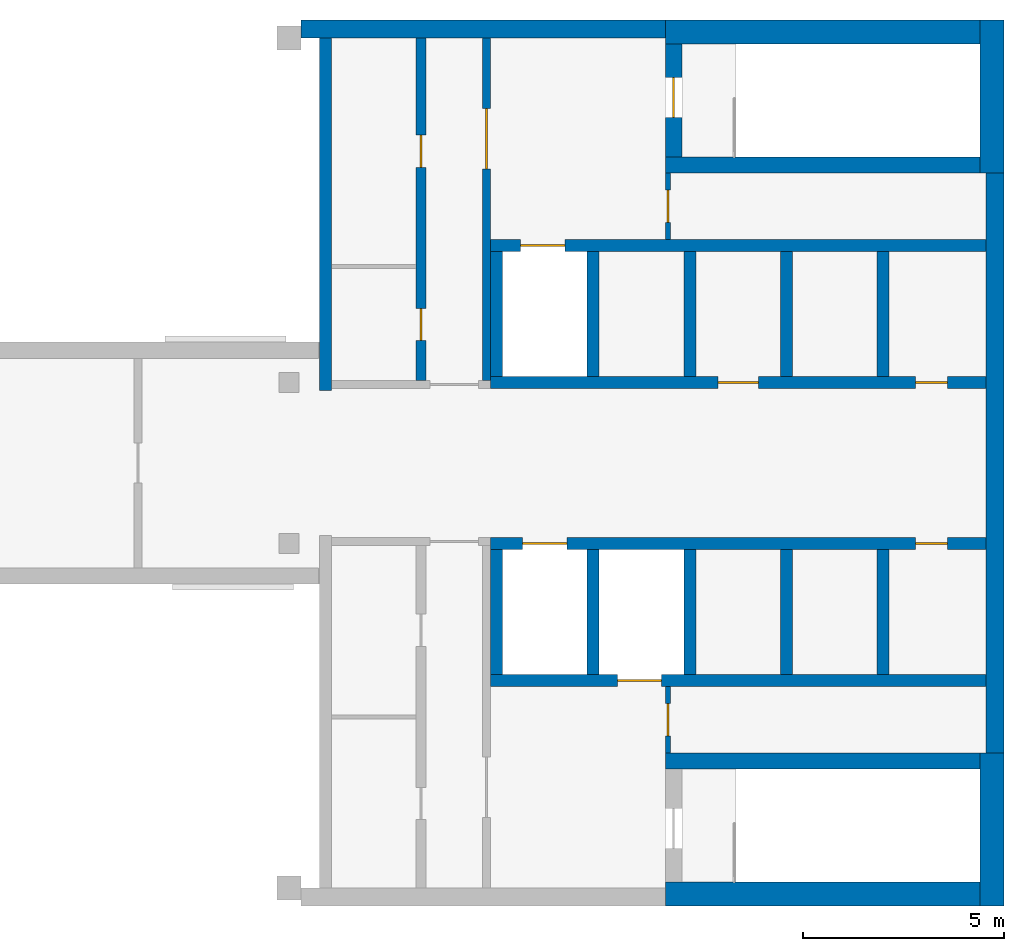
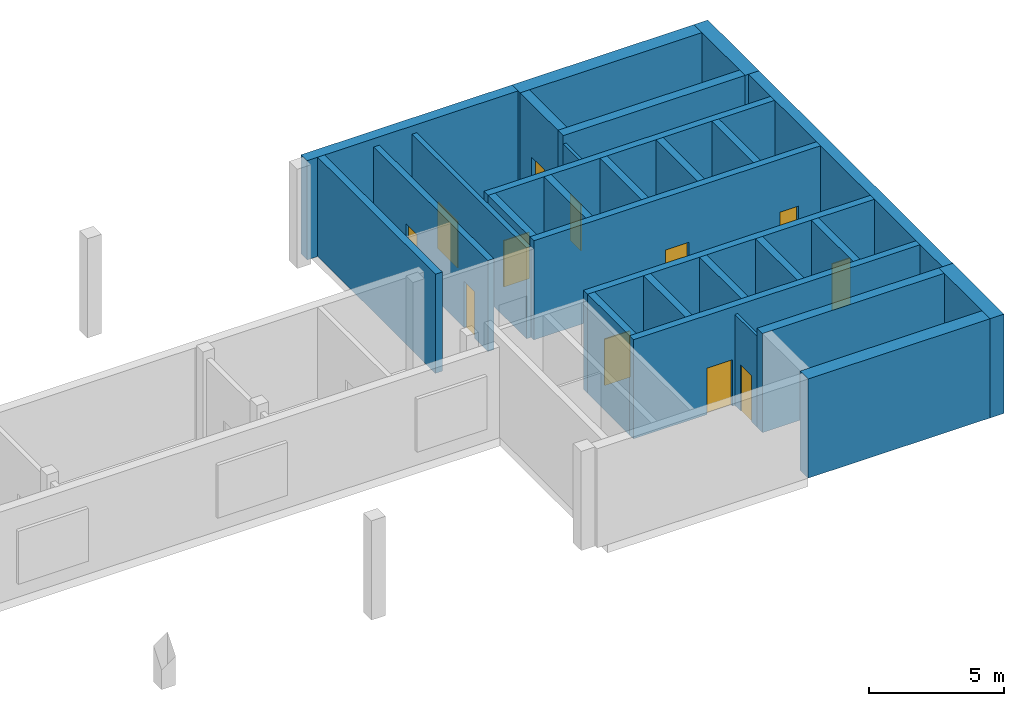
# One storey, part 2 of 3: 28 walls, 12 doors, 12 openings.
"""IFC4 building model written with IfcOpenShell, lengths in metres."""

from ifc_helpers import new_model, si_unit, direction, frame, frame_2d, origin, place, context, subcontext, project, spatial, rectangle, extrude, material, layer, layer_set, type_object, element, fill, save


model = new_model("IFC4")

# Units and contexts
model_context = context("Model", 3, precision=1e-05, world=origin(), true_north=direction((0.0, 1.0)))
body_context = subcontext(model_context, "Body", "Model", "MODEL_VIEW")
ifc_project = project(units=[si_unit("LENGTHUNIT", "METRE"), si_unit("AREAUNIT", "SQUARE_METRE"), si_unit("VOLUMEUNIT", "CUBIC_METRE"), si_unit("PLANEANGLEUNIT", "RADIAN"), si_unit("MASSUNIT", "GRAM", prefix="KILO")], contexts=[model_context])

# Site, building, storey
site_placement = place(None, origin())
site = spatial("IfcSite", under=ifc_project, at=site_placement, CompositionType="ELEMENT")
building_placement = place(site_placement, origin())
building = spatial("IfcBuilding", under=site, at=building_placement, Name="Skarvind Civic Tower", CompositionType="ELEMENT")
storey_placement = place(building_placement, frame((0.0, 0.0, 295.5)))
storey = spatial("IfcBuildingStorey", under=building, at=storey_placement, Name="L70", CompositionType="ELEMENT", Elevation=295.5)

# Wall, opening, door
ifc_material_1 = material(Name="Fire-rated masonry partition", Category="masonry")
ifc_layer_1 = layer(ifc_material_1, 0.199951171875)
ifc_layer_set_1 = layer_set([ifc_layer_1], Name="Core enclosure wall 200")
wall_type_1 = type_object("IfcWallType", Name="Core enclosure wall 200", PredefinedType="PARTITIONING", material=ifc_layer_set_1)
wall_1_placement = place(storey_placement, frame((95.14990234375, 130.050048828125, 0.0), z_axis=(0.0, 0.0, 1.0), x_axis=(0.0, 1.0, 0.0)))
wall_1 = element("IfcWall", 1, at=wall_1_placement, inside=storey, type_object=wall_type_1, Name="Core wall C1", PredefinedType="PARTITIONING", context=body_context, shape_type="SweptSolid", body=[
    extrude(rectangle(XDim=8.5, YDim=0.199951171875, at=frame_2d((4.25, 0.0))), origin(), (0.0, 0.0, 1.0), 4.125),
])
opening_1_placement = place(wall_1_placement, frame((5.25, 0.0, 0.0)))
opening_1 = element("IfcOpeningElement", 2, at=opening_1_placement, cuts=wall_1, Name="Opening D-L70-C1-12", PredefinedType="OPENING", context=body_context, shape_type="SweptSolid", body=[
    extrude(rectangle(XDim=1.5, YDim=2.10009765625, at=frame_2d((0.75, 1.050048828125))), frame((0.0, 0.10986328125, 0.0), z_axis=(0.0, -1.0, 0.0), x_axis=(1.0, 0.0, 0.0)), (0.0, 0.0, 1.0), 0.219970703125),
])
ifc_material_2 = material(Name="Fire-rated steel door", Category="steel")
door_type_1 = type_object("IfcDoorType", Name="Fire door 1500", OperationType="NOTDEFINED", PredefinedType="DOOR", material=ifc_material_2)
door_1_placement = place(opening_1_placement, origin())
door_1 = element("IfcDoor", 3, at=door_1_placement, inside=storey, type_object=door_type_1, Name="Fire door", OperationType="DOUBLE_DOOR_SINGLE_SWING", OverallHeight=2.10009765625, OverallWidth=1.5, PredefinedType="DOOR", context=body_context, shape_type="SweptSolid", body=[
    extrude(rectangle(XDim=1.5, YDim=2.10009765625, at=frame_2d((0.75, 1.050048828125))), frame((0.0, 0.02490234375, 0.0), z_axis=(0.0, -1.0, 0.0), x_axis=(1.0, 0.0, 0.0)), (0.0, 0.0, 1.0), 0.050048828125),
])
fill(opening_1, door_1)

# Wall, openings, doors
ifc_material_3 = material(Name="Concrete C60", Category="concrete")
ifc_layer_2 = layer(ifc_material_3, 0.300048828125)
ifc_layer_set_2 = layer_set([ifc_layer_2], Name="Core wall 300 C60")
wall_type_2 = type_object("IfcWallType", Name="Core wall 300 C60", PredefinedType="SHEAR", material=ifc_layer_set_2)
wall_2_placement = place(storey_placement, frame((107.550048828125, 130.0, 0.0), z_axis=(0.0, 0.0, 1.0), x_axis=(-1.0, 0.0, 0.0)))
wall_2 = element("IfcWall", 4, at=wall_2_placement, inside=storey, type_object=wall_type_2, Name="Core wall C1 south lift row front L70", PredefinedType="SHEAR", context=body_context, shape_type="SweptSolid", body=[
    extrude(rectangle(XDim=12.300048828125, YDim=0.300048828125, at=frame_2d((6.14990234375, 0.0))), origin(), (0.0, 0.0, 1.0), 4.5),
])
opening_2_placement = place(wall_2_placement, frame((0.949951171875, 0.0, 0.0)))
opening_2 = element("IfcOpeningElement", 5, at=opening_2_placement, cuts=wall_2, Name="Opening D-L70-C1-03", PredefinedType="OPENING", context=body_context, shape_type="SweptSolid", body=[
    extrude(rectangle(XDim=0.800048828125, YDim=2.10009765625, at=frame_2d((0.39990234375, 1.050048828125))), frame((0.0, 0.159912109375, 0.0), z_axis=(0.0, -1.0, 0.0), x_axis=(1.0, 0.0, 0.0)), (0.0, 0.0, 1.0), 0.320068359375),
])
opening_3_placement = place(wall_2_placement, frame((5.64990234375, 0.0, 0.0)))
opening_3 = element("IfcOpeningElement", 6, at=opening_3_placement, cuts=wall_2, Name="Opening D-L70-C1-04", PredefinedType="OPENING", context=body_context, shape_type="SweptSolid", body=[
    extrude(rectangle(XDim=1.0, YDim=2.10009765625, at=frame_2d((0.5, 1.050048828125))), frame((0.0, 0.159912109375, 0.0), z_axis=(0.0, -1.0, 0.0), x_axis=(1.0, 0.0, 0.0)), (0.0, 0.0, 1.0), 0.320068359375),
])
door_type_2 = type_object("IfcDoorType", Name="Core riser door 800", OperationType="NOTDEFINED", PredefinedType="DOOR", material=ifc_material_2)
door_2_placement = place(opening_2_placement, origin())
door_2 = element("IfcDoor", 7, at=door_2_placement, inside=storey, type_object=door_type_2, Name="Riser door", OperationType="SINGLE_SWING_RIGHT", OverallHeight=2.10009765625, OverallWidth=0.800048828125, PredefinedType="DOOR", context=body_context, shape_type="SweptSolid", body=[
    extrude(rectangle(XDim=0.800048828125, YDim=2.10009765625, at=frame_2d((0.39990234375, 1.050048828125))), frame((0.0, 0.02490234375, 0.0), z_axis=(0.0, -1.0, 0.0), x_axis=(1.0, 0.0, 0.0)), (0.0, 0.0, 1.0), 0.050048828125),
])
fill(opening_2, door_2)
door_type_3 = type_object("IfcDoorType", Name="Fire door 1000", OperationType="NOTDEFINED", PredefinedType="DOOR", material=ifc_material_2)
door_3_placement = place(opening_3_placement, origin())
door_3 = element("IfcDoor", 8, at=door_3_placement, inside=storey, type_object=door_type_3, Name="Fire door", OperationType="SINGLE_SWING_LEFT", OverallHeight=2.10009765625, OverallWidth=1.0, PredefinedType="DOOR", context=body_context, shape_type="SweptSolid", body=[
    extrude(rectangle(XDim=1.0, YDim=2.10009765625, at=frame_2d((0.5, 1.050048828125))), frame((0.0, 0.02490234375, 0.0), z_axis=(0.0, -1.0, 0.0), x_axis=(1.0, 0.0, 0.0)), (0.0, 0.0, 1.0), 0.050048828125),
])
fill(opening_3, door_3)

# Wall, opening, door
wall_3_placement = place(storey_placement, frame((107.550048828125, 133.39990234375, 0.0), z_axis=(0.0, 0.0, 1.0), x_axis=(-1.0, 0.0, 0.0)))
wall_3 = element("IfcWall", 9, at=wall_3_placement, inside=storey, type_object=wall_type_2, Name="Core wall C1 south lift row back L70", PredefinedType="SHEAR", context=body_context, shape_type="SweptSolid", body=[
    extrude(rectangle(XDim=12.300048828125, YDim=0.300048828125, at=frame_2d((6.14990234375, 0.0))), origin(), (0.0, 0.0, 1.0), 4.5),
])
opening_4_placement = place(wall_3_placement, frame((10.449951171875, 0.0, 0.0)))
opening_4 = element("IfcOpeningElement", 10, at=opening_4_placement, cuts=wall_3, Name="Opening LD72110", PredefinedType="OPENING", context=body_context, shape_type="SweptSolid", body=[
    extrude(rectangle(XDim=1.10009765625, YDim=2.10009765625, at=frame_2d((0.550048828125, 1.050048828125))), frame((0.0, 0.159912109375, 0.0), z_axis=(0.0, -1.0, 0.0), x_axis=(1.0, 0.0, 0.0)), (0.0, 0.0, 1.0), 0.320068359375),
])
ifc_material_4 = material(Name="Stainless steel landing door", Category="steel")
door_type_4 = type_object("IfcDoorType", Name="Lift landing door 1100", OperationType="DOUBLE_DOOR_SLIDING", PredefinedType="DOOR", material=ifc_material_4)
door_4_placement = place(opening_4_placement, origin())
door_4 = element("IfcDoor", 11, at=door_4_placement, inside=storey, type_object=door_type_4, Name="Lift landing door", OperationType="DOUBLE_DOOR_SLIDING", OverallHeight=2.10009765625, OverallWidth=1.10009765625, PredefinedType="DOOR", context=body_context, shape_type="SweptSolid", body=[
    extrude(rectangle(XDim=1.10009765625, YDim=2.10009765625, at=frame_2d((0.550048828125, 1.050048828125))), frame((0.0, 0.02490234375, 0.0), z_axis=(0.0, -1.0, 0.0), x_axis=(1.0, 0.0, 0.0)), (0.0, 0.0, 1.0), 0.050048828125),
])
fill(opening_4, door_4)

# Walls
for number, where, z_axis, x_axis, name in (
    (12, (105.0, 133.25, 0.0), (0.0, 0.0, 1.0), (0.0, -1.0, 0.0), "Core wall C1 south lift row division 1 L70"),
    (13, (102.60009765625, 133.25, 0.0), (0.0, 0.0, 1.0), (0.0, -1.0, 0.0), "Core wall C1 south lift row division 2 L70"),
    (14, (100.199951171875, 133.25, 0.0), (0.0, 0.0, 1.0), (0.0, -1.0, 0.0), "Core wall C1 south lift row division 3 L70"),
    (15, (97.800048828125, 133.25, 0.0), (0.0, 0.0, 1.0), (0.0, -1.0, 0.0), "Core wall C1 south lift row division 4 L70"),
    (16, (95.39990234375, 133.25, 0.0), (0.0, 0.0, 1.0), (0.0, -1.0, 0.0), "Core wall C1 south lift row division 5 L70"),
):
    element("IfcWall", number, at=place(storey_placement, frame(where, z_axis=z_axis, x_axis=x_axis)), inside=storey, type_object=wall_type_2, Name=name, PredefinedType="SHEAR", context=body_context, shape_type="SweptSolid", body=[
        extrude(rectangle(XDim=3.10009765625, YDim=0.300048828125, at=frame_2d((1.550048828125, 0.0))), origin(), (0.0, 0.0, 1.0), 4.5),
    ])

# Wall, openings, doors
wall_4_placement = place(storey_placement, frame((107.550048828125, 126.0, 0.0), z_axis=(0.0, 0.0, 1.0), x_axis=(-1.0, 0.0, 0.0)))
wall_4 = element("IfcWall", 17, at=wall_4_placement, inside=storey, type_object=wall_type_2, Name="Core wall C1 north lift row front L70", PredefinedType="SHEAR", context=body_context, shape_type="SweptSolid", body=[
    extrude(rectangle(XDim=12.300048828125, YDim=0.300048828125, at=frame_2d((6.14990234375, 0.0))), origin(), (0.0, 0.0, 1.0), 4.5),
])
opening_5_placement = place(wall_4_placement, frame((10.39990234375, 0.0, 0.0)))
opening_5 = element("IfcOpeningElement", 18, at=opening_5_placement, cuts=wall_4, Name="Opening LD72105", PredefinedType="OPENING", context=body_context, shape_type="SweptSolid", body=[
    extrude(rectangle(XDim=1.10009765625, YDim=2.10009765625, at=frame_2d((0.550048828125, 1.050048828125))), frame((0.0, 0.159912109375, 0.0), z_axis=(0.0, -1.0, 0.0), x_axis=(1.0, 0.0, 0.0)), (0.0, 0.0, 1.0), 0.320068359375),
])
opening_6_placement = place(wall_4_placement, frame((0.949951171875, 0.0, 0.0)))
opening_6 = element("IfcOpeningElement", 19, at=opening_6_placement, cuts=wall_4, Name="Opening D-L70-C1-02", PredefinedType="OPENING", context=body_context, shape_type="SweptSolid", body=[
    extrude(rectangle(XDim=0.800048828125, YDim=2.10009765625, at=frame_2d((0.39990234375, 1.050048828125))), frame((0.0, 0.159912109375, 0.0), z_axis=(0.0, -1.0, 0.0), x_axis=(1.0, 0.0, 0.0)), (0.0, 0.0, 1.0), 0.320068359375),
])
door_5_placement = place(opening_6_placement, origin())
door_5 = element("IfcDoor", 20, at=door_5_placement, inside=storey, type_object=door_type_2, Name="Riser door", OperationType="SINGLE_SWING_LEFT", OverallHeight=2.10009765625, OverallWidth=0.800048828125, PredefinedType="DOOR", context=body_context, shape_type="SweptSolid", body=[
    extrude(rectangle(XDim=0.800048828125, YDim=2.10009765625, at=frame_2d((0.39990234375, 1.050048828125))), frame((0.0, 0.02490234375, 0.0), z_axis=(0.0, -1.0, 0.0), x_axis=(1.0, 0.0, 0.0)), (0.0, 0.0, 1.0), 0.050048828125),
])
fill(opening_6, door_5)
door_6_placement = place(opening_5_placement, origin())
door_6 = element("IfcDoor", 21, at=door_6_placement, inside=storey, type_object=door_type_4, Name="Lift landing door", OperationType="DOUBLE_DOOR_SLIDING", OverallHeight=2.10009765625, OverallWidth=1.10009765625, PredefinedType="DOOR", context=body_context, shape_type="SweptSolid", body=[
    extrude(rectangle(XDim=1.10009765625, YDim=2.10009765625, at=frame_2d((0.550048828125, 1.050048828125))), frame((0.0, 0.02490234375, 0.0), z_axis=(0.0, -1.0, 0.0), x_axis=(1.0, 0.0, 0.0)), (0.0, 0.0, 1.0), 0.050048828125),
])
fill(opening_5, door_6)

# Wall, opening, door
wall_5_placement = place(storey_placement, frame((107.550048828125, 122.60009765625, 0.0), z_axis=(0.0, 0.0, 1.0), x_axis=(-1.0, 0.0, 0.0)))
wall_5 = element("IfcWall", 22, at=wall_5_placement, inside=storey, type_object=wall_type_2, Name="Core wall C1 north lift row back L70", PredefinedType="SHEAR", context=body_context, shape_type="SweptSolid", body=[
    extrude(rectangle(XDim=12.300048828125, YDim=0.300048828125, at=frame_2d((6.14990234375, 0.0))), origin(), (0.0, 0.0, 1.0), 4.5),
])
opening_7_placement = place(wall_5_placement, frame((8.050048828125, 0.0, 0.0)))
opening_7 = element("IfcOpeningElement", 23, at=opening_7_placement, cuts=wall_5, Name="Opening LD72104", PredefinedType="OPENING", context=body_context, shape_type="SweptSolid", body=[
    extrude(rectangle(XDim=1.10009765625, YDim=2.10009765625, at=frame_2d((0.550048828125, 1.050048828125))), frame((0.0, 0.159912109375, 0.0), z_axis=(0.0, -1.0, 0.0), x_axis=(1.0, 0.0, 0.0)), (0.0, 0.0, 1.0), 0.320068359375),
])
door_7_placement = place(opening_7_placement, origin())
door_7 = element("IfcDoor", 24, at=door_7_placement, inside=storey, type_object=door_type_4, Name="Lift landing door", OperationType="DOUBLE_DOOR_SLIDING", OverallHeight=2.10009765625, OverallWidth=1.10009765625, PredefinedType="DOOR", context=body_context, shape_type="SweptSolid", body=[
    extrude(rectangle(XDim=1.10009765625, YDim=2.10009765625, at=frame_2d((0.550048828125, 1.050048828125))), frame((0.0, 0.02490234375, 0.0), z_axis=(0.0, -1.0, 0.0), x_axis=(1.0, 0.0, 0.0)), (0.0, 0.0, 1.0), 0.050048828125),
])
fill(opening_7, door_7)

# Walls
for number, where, z_axis, x_axis, name in (
    (25, (105.0, 125.85009765625, 0.0), (0.0, 0.0, 1.0), (0.0, -1.0, 0.0), "Core wall C1 north lift row division 1 L70"),
    (26, (102.60009765625, 125.85009765625, 0.0), (0.0, 0.0, 1.0), (0.0, -1.0, 0.0), "Core wall C1 north lift row division 2 L70"),
    (27, (100.199951171875, 125.85009765625, 0.0), (0.0, 0.0, 1.0), (0.0, -1.0, 0.0), "Core wall C1 north lift row division 3 L70"),
    (28, (97.800048828125, 125.85009765625, 0.0), (0.0, 0.0, 1.0), (0.0, -1.0, 0.0), "Core wall C1 north lift row division 4 L70"),
    (29, (95.39990234375, 125.85009765625, 0.0), (0.0, 0.0, 1.0), (0.0, -1.0, 0.0), "Core wall C1 north lift row division 5 L70"),
):
    element("IfcWall", number, at=place(storey_placement, frame(where, z_axis=z_axis, x_axis=x_axis)), inside=storey, type_object=wall_type_2, Name=name, PredefinedType="SHEAR", context=body_context, shape_type="SweptSolid", body=[
        extrude(rectangle(XDim=3.10009765625, YDim=0.300048828125, at=frame_2d((1.550048828125, 0.0))), origin(), (0.0, 0.0, 1.0), 4.5),
    ])
wall_6_placement = place(storey_placement, frame((91.14990234375, 138.550048828125, 0.0), z_axis=(0.0, 0.0, 1.0), x_axis=(0.0, -1.0, 0.0)))
element("IfcWall", 30, at=wall_6_placement, inside=storey, type_object=wall_type_2, Name="Core wall C1 south inner face L70", PredefinedType="SHEAR", context=body_context, shape_type="SweptSolid", body=[
    extrude(rectangle(XDim=8.75, YDim=0.300048828125, at=frame_2d((4.375, 0.0))), origin(), (0.0, 0.0, 1.0), 4.5),
])
ifc_layer_3 = layer(ifc_material_3, 0.39990234375)
ifc_layer_set_3 = layer_set([ifc_layer_3], Name="Core wall 400 C60")
wall_type_3 = type_object("IfcWallType", Name="Core wall 400 C60", PredefinedType="SHEAR", material=ifc_layer_set_3)
wall_7_placement = place(storey_placement, frame((107.39990234375, 135.39990234375, 0.0), z_axis=(0.0, 0.0, 1.0), x_axis=(-1.0, 0.0, 0.0)))
element("IfcWall", 31, at=wall_7_placement, inside=storey, type_object=wall_type_3, Name="Core wall C1 south stair inner L70", PredefinedType="SHEAR", context=body_context, shape_type="SweptSolid", body=[
    extrude(rectangle(XDim=7.7998046875, YDim=0.39990234375, at=frame_2d((3.89990234375, 0.0))), origin(), (0.0, 0.0, 1.0), 4.5),
])

# Wall, opening, door
wall_8_placement = place(storey_placement, frame((99.800048828125, 138.39990234375, 0.0), z_axis=(0.0, 0.0, 1.0), x_axis=(0.0, -1.0, 0.0)))
wall_8 = element("IfcWall", 32, at=wall_8_placement, inside=storey, type_object=wall_type_3, Name="Core wall C1 south stair end L70", PredefinedType="SHEAR", context=body_context, shape_type="SweptSolid", body=[
    extrude(rectangle(XDim=2.7998046875, YDim=0.39990234375, at=frame_2d((1.39990234375, 0.0))), origin(), (0.0, 0.0, 1.0), 4.5),
])
opening_8_placement = place(wall_8_placement, frame((0.824951171875, 0.0, 0.0)))
opening_8 = element("IfcOpeningElement", 33, at=opening_8_placement, cuts=wall_8, Name="Opening D-L70-C1-13", PredefinedType="OPENING", context=body_context, shape_type="SweptSolid", body=[
    extrude(rectangle(XDim=1.0, YDim=2.10009765625, at=frame_2d((0.5, 1.050048828125))), frame((0.0, 0.2099609375, 0.0), z_axis=(0.0, -1.0, 0.0), x_axis=(1.0, 0.0, 0.0)), (0.0, 0.0, 1.0), 0.419921875),
])
door_8_placement = place(opening_8_placement, origin())
door_8 = element("IfcDoor", 34, at=door_8_placement, inside=storey, type_object=door_type_3, Name="Fire door", OperationType="SINGLE_SWING_RIGHT", OverallHeight=2.10009765625, OverallWidth=1.0, PredefinedType="DOOR", context=body_context, shape_type="SweptSolid", body=[
    extrude(rectangle(XDim=1.0, YDim=2.10009765625, at=frame_2d((0.5, 1.050048828125))), frame((0.0, 0.02490234375, 0.0), z_axis=(0.0, -1.0, 0.0), x_axis=(1.0, 0.0, 0.0)), (0.0, 0.0, 1.0), 0.050048828125),
])
fill(opening_8, door_8)

# Walls
wall_9_placement = place(storey_placement, frame((107.39990234375, 120.60009765625, 0.0), z_axis=(0.0, 0.0, 1.0), x_axis=(-1.0, 0.0, 0.0)))
element("IfcWall", 35, at=wall_9_placement, inside=storey, type_object=wall_type_3, Name="Core wall C1 north stair inner L70", PredefinedType="SHEAR", context=body_context, shape_type="SweptSolid", body=[
    extrude(rectangle(XDim=7.7998046875, YDim=0.39990234375, at=frame_2d((3.89990234375, 0.0))), origin(), (0.0, 0.0, 1.0), 4.5),
])
ifc_layer_4 = layer(ifc_material_3, 0.449951171875)
ifc_layer_set_4 = layer_set([ifc_layer_4], Name="Core wall 450 C60")
wall_type_4 = type_object("IfcWallType", Name="Core wall 450 C60", PredefinedType="SHEAR", material=ifc_layer_set_4)
wall_10_placement = place(storey_placement, frame((107.77490234375, 135.199951171875, 0.0), z_axis=(0.0, 0.0, 1.0), x_axis=(0.0, -1.0, 0.0)))
element("IfcWall", 36, at=wall_10_placement, inside=storey, type_object=wall_type_4, Name="Core wall C1 tip between the stairs L70", PredefinedType="SHEAR", context=body_context, shape_type="SweptSolid", body=[
    extrude(rectangle(XDim=14.39990234375, YDim=0.449951171875, at=frame_2d((7.199951171875, 0.0))), origin(), (0.0, 0.0, 1.0), 4.5),
])
wall_11_placement = place(storey_placement, frame((99.60009765625, 138.77490234375, 0.0), z_axis=(0.0, 0.0, 1.0), x_axis=(-1.0, 0.0, 0.0)))
element("IfcWall", 37, at=wall_11_placement, inside=storey, type_object=wall_type_4, Name="Core wall C1 south side L70", PredefinedType="SHEAR", context=body_context, shape_type="SweptSolid", body=[
    extrude(rectangle(XDim=9.050048828125, YDim=0.449951171875, at=frame_2d((4.52490234375, 0.0))), origin(), (0.0, 0.0, 1.0), 4.5),
])
ifc_layer_5 = layer(ifc_material_3, 0.60009765625)
ifc_layer_set_5 = layer_set([ifc_layer_5], Name="Core wall 600 C60")
wall_type_5 = type_object("IfcWallType", Name="Core wall 600 C60", PredefinedType="SHEAR", material=ifc_layer_set_5)
for number, where, z_axis, x_axis, name in (
    (38, (107.699951171875, 139.0, 0.0), (0.0, 0.0, 1.0), (0.0, -1.0, 0.0), "Core wall C1 tip at the south stair L70"),
    (39, (107.699951171875, 120.800048828125, 0.0), (0.0, 0.0, 1.0), (0.0, -1.0, 0.0), "Core wall C1 tip at the north stair L70"),
):
    element("IfcWall", number, at=place(storey_placement, frame(where, z_axis=z_axis, x_axis=x_axis)), inside=storey, type_object=wall_type_5, Name=name, PredefinedType="SHEAR", context=body_context, shape_type="SweptSolid", body=[
        extrude(rectangle(XDim=3.800048828125, YDim=0.60009765625, at=frame_2d((1.89990234375, 0.0))), origin(), (0.0, 0.0, 1.0), 4.5),
    ])
for number, where, z_axis, x_axis, name in (
    (40, (107.39990234375, 138.699951171875, 0.0), (0.0, 0.0, 1.0), (-1.0, 0.0, 0.0), "Core wall C1 south side at the stair L70"),
    (41, (107.39990234375, 117.300048828125, 0.0), (0.0, 0.0, 1.0), (-1.0, 0.0, 0.0), "Core wall C1 north side at the stair L70"),
):
    element("IfcWall", number, at=place(storey_placement, frame(where, z_axis=z_axis, x_axis=x_axis)), inside=storey, type_object=wall_type_5, Name=name, PredefinedType="SHEAR", context=body_context, shape_type="SweptSolid", body=[
        extrude(rectangle(XDim=7.7998046875, YDim=0.60009765625, at=frame_2d((3.89990234375, 0.0))), origin(), (0.0, 0.0, 1.0), 4.5),
    ])

# Wall, opening, door
ifc_layer_6 = layer(ifc_material_1, 0.125)
ifc_layer_set_6 = layer_set([ifc_layer_6], Name="Riser wall 125")
wall_type_6 = type_object("IfcWallType", Name="Riser wall 125", PredefinedType="PARTITIONING", material=ifc_layer_set_6)
wall_12_placement = place(storey_placement, frame((99.66259765625, 120.800048828125, 0.0), z_axis=(0.0, 0.0, 1.0), x_axis=(0.0, 1.0, 0.0)))
wall_12 = element("IfcWall", 42, at=wall_12_placement, inside=storey, type_object=wall_type_6, Name="Core wall C1", PredefinedType="PARTITIONING", context=body_context, shape_type="SweptSolid", body=[
    extrude(rectangle(XDim=1.64990234375, YDim=0.125, at=frame_2d((0.824951171875, 0.0))), origin(), (0.0, 0.0, 1.0), 4.125),
])
opening_9_placement = place(wall_12_placement, frame((0.425048828125, 0.0, 0.0)))
opening_9 = element("IfcOpeningElement", 43, at=opening_9_placement, cuts=wall_12, Name="Opening D-L70-C1-08", PredefinedType="OPENING", context=body_context, shape_type="SweptSolid", body=[
    extrude(rectangle(XDim=0.800048828125, YDim=2.10009765625, at=frame_2d((0.39990234375, 1.050048828125))), frame((0.0, 0.072509765625, 0.0), z_axis=(0.0, -1.0, 0.0), x_axis=(1.0, 0.0, 0.0)), (0.0, 0.0, 1.0), 0.14501953125),
])
door_9_placement = place(opening_9_placement, origin())
door_9 = element("IfcDoor", 44, at=door_9_placement, inside=storey, type_object=door_type_2, Name="Riser door", OperationType="SINGLE_SWING_RIGHT", OverallHeight=2.10009765625, OverallWidth=0.800048828125, PredefinedType="DOOR", context=body_context, shape_type="SweptSolid", body=[
    extrude(rectangle(XDim=0.800048828125, YDim=2.10009765625, at=frame_2d((0.39990234375, 1.050048828125))), frame((0.0, 0.02490234375, 0.0), z_axis=(0.0, -1.0, 0.0), x_axis=(1.0, 0.0, 0.0)), (0.0, 0.0, 1.0), 0.050048828125),
])
fill(opening_9, door_9)

wall_13_placement = place(storey_placement, frame((99.66259765625, 133.550048828125, 0.0), z_axis=(0.0, 0.0, 1.0), x_axis=(0.0, 1.0, 0.0)))
wall_13 = element("IfcWall", 45, at=wall_13_placement, inside=storey, type_object=wall_type_6, Name="Core wall C1", PredefinedType="PARTITIONING", context=body_context, shape_type="SweptSolid", body=[
    extrude(rectangle(XDim=1.64990234375, YDim=0.125, at=frame_2d((0.824951171875, 0.0))), origin(), (0.0, 0.0, 1.0), 4.125),
])
opening_10_placement = place(wall_13_placement, frame((0.425048828125, 0.0, 0.0)))
opening_10 = element("IfcOpeningElement", 46, at=opening_10_placement, cuts=wall_13, Name="Opening D-L70-C1-14", PredefinedType="OPENING", context=body_context, shape_type="SweptSolid", body=[
    extrude(rectangle(XDim=0.800048828125, YDim=2.10009765625, at=frame_2d((0.39990234375, 1.050048828125))), frame((0.0, 0.072509765625, 0.0), z_axis=(0.0, -1.0, 0.0), x_axis=(1.0, 0.0, 0.0)), (0.0, 0.0, 1.0), 0.14501953125),
])
door_10_placement = place(opening_10_placement, origin())
door_10 = element("IfcDoor", 47, at=door_10_placement, inside=storey, type_object=door_type_2, Name="Riser door", OperationType="SINGLE_SWING_LEFT", OverallHeight=2.10009765625, OverallWidth=0.800048828125, PredefinedType="DOOR", context=body_context, shape_type="SweptSolid", body=[
    extrude(rectangle(XDim=0.800048828125, YDim=2.10009765625, at=frame_2d((0.39990234375, 1.050048828125))), frame((0.0, 0.02490234375, 0.0), z_axis=(0.0, -1.0, 0.0), x_axis=(1.0, 0.0, 0.0)), (0.0, 0.0, 1.0), 0.050048828125),
])
fill(opening_10, door_10)

# Wall, openings, doors
ifc_layer_7 = layer(ifc_material_1, 0.25)
ifc_layer_set_7 = layer_set([ifc_layer_7], Name="Service block wall 250")
wall_type_7 = type_object("IfcWallType", Name="Service block wall 250", PredefinedType="PARTITIONING", material=ifc_layer_set_7)
wall_14_placement = place(storey_placement, frame((93.52490234375, 130.050048828125, 0.0), z_axis=(0.0, 0.0, 1.0), x_axis=(0.0, 1.0, 0.0)))
wall_14 = element("IfcWall", 48, at=wall_14_placement, inside=storey, type_object=wall_type_7, Name="Core wall C1", PredefinedType="PARTITIONING", context=body_context, shape_type="SweptSolid", body=[
    extrude(rectangle(XDim=8.5, YDim=0.25, at=frame_2d((4.25, 0.0))), origin(), (0.0, 0.0, 1.0), 4.125),
])
opening_11_placement = place(wall_14_placement, frame((0.989990234375, 0.0, 0.0)))
opening_11 = element("IfcOpeningElement", 49, at=opening_11_placement, cuts=wall_14, Name="Opening D-L70-C1-15", PredefinedType="OPENING", context=body_context, shape_type="SweptSolid", body=[
    extrude(rectangle(XDim=0.800048828125, YDim=2.10009765625, at=frame_2d((0.39990234375, 1.050048828125))), frame((0.0, 0.135009765625, 0.0), z_axis=(0.0, -1.0, 0.0), x_axis=(1.0, 0.0, 0.0)), (0.0, 0.0, 1.0), 0.27001953125),
])
opening_12_placement = place(wall_14_placement, frame((5.2900390625, 0.0, 0.0)))
opening_12 = element("IfcOpeningElement", 50, at=opening_12_placement, cuts=wall_14, Name="Opening D-L70-C1-16", PredefinedType="OPENING", context=body_context, shape_type="SweptSolid", body=[
    extrude(rectangle(XDim=0.800048828125, YDim=2.10009765625, at=frame_2d((0.39990234375, 1.050048828125))), frame((0.0, 0.135009765625, 0.0), z_axis=(0.0, -1.0, 0.0), x_axis=(1.0, 0.0, 0.0)), (0.0, 0.0, 1.0), 0.27001953125),
])
door_11_placement = place(opening_11_placement, origin())
door_11 = element("IfcDoor", 51, at=door_11_placement, inside=storey, type_object=door_type_2, Name="Riser door", OperationType="SINGLE_SWING_RIGHT", OverallHeight=2.10009765625, OverallWidth=0.800048828125, PredefinedType="DOOR", context=body_context, shape_type="SweptSolid", body=[
    extrude(rectangle(XDim=0.800048828125, YDim=2.10009765625, at=frame_2d((0.39990234375, 1.050048828125))), frame((0.0, 0.02490234375, 0.0), z_axis=(0.0, -1.0, 0.0), x_axis=(1.0, 0.0, 0.0)), (0.0, 0.0, 1.0), 0.050048828125),
])
fill(opening_11, door_11)
door_12_placement = place(opening_12_placement, origin())
door_12 = element("IfcDoor", 52, at=door_12_placement, inside=storey, type_object=door_type_2, Name="Riser door", OperationType="SINGLE_SWING_LEFT", OverallHeight=2.10009765625, OverallWidth=0.800048828125, PredefinedType="DOOR", context=body_context, shape_type="SweptSolid", body=[
    extrude(rectangle(XDim=0.800048828125, YDim=2.10009765625, at=frame_2d((0.39990234375, 1.050048828125))), frame((0.0, 0.02490234375, 0.0), z_axis=(0.0, -1.0, 0.0), x_axis=(1.0, 0.0, 0.0)), (0.0, 0.0, 1.0), 0.050048828125),
])
fill(opening_12, door_12)

save(model, "model.ifc")
